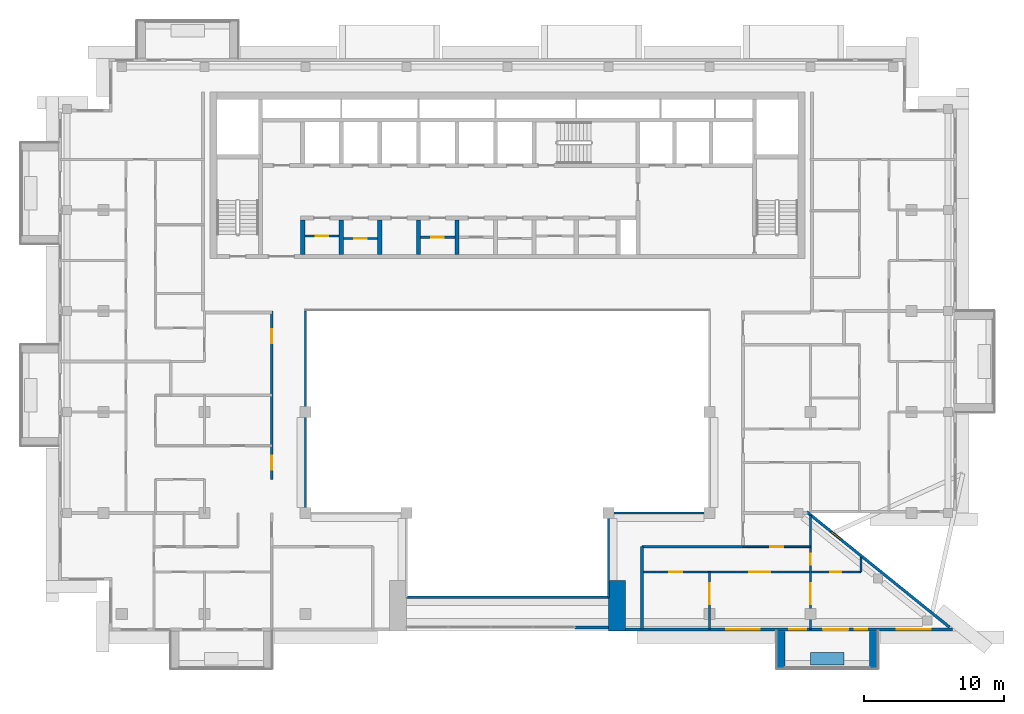
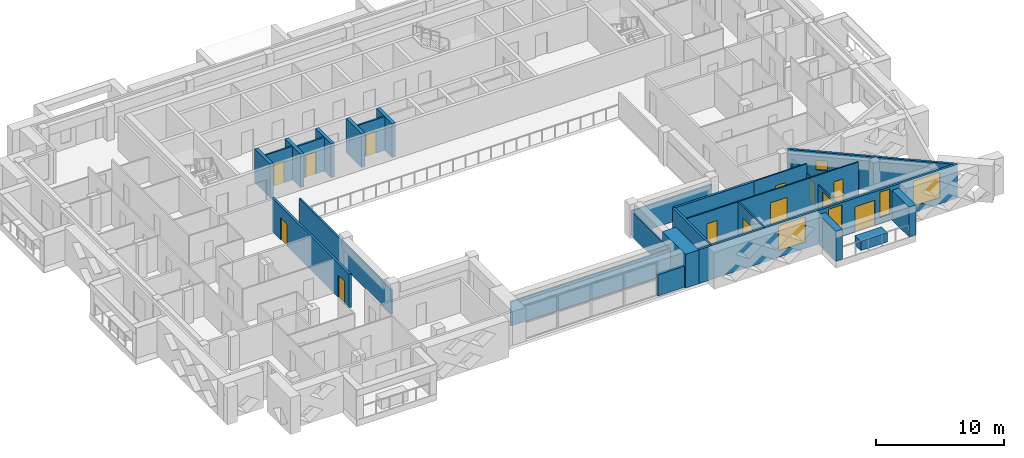
# One storey, part 8 of 19: 27 walls, 13 doors, 5 windows, 18 openings.
"""IFC4 building model written with IfcOpenShell, lengths in metres."""

from ifc_helpers import new_model, si_unit, direction, frame, frame_2d, origin, place, context, subcontext, project, spatial, rectangle, extrude, material, layer, layer_set, type_object, element, fill, save


model = new_model("IFC4")

# Units and contexts
model_context = context("Model", 3, precision=1e-05, world=origin(), true_north=direction((0.0, 1.0)))
body_context = subcontext(model_context, "Body", "Model", "MODEL_VIEW")
ifc_project = project(units=[si_unit("LENGTHUNIT", "METRE"), si_unit("AREAUNIT", "SQUARE_METRE"), si_unit("VOLUMEUNIT", "CUBIC_METRE"), si_unit("PLANEANGLEUNIT", "RADIAN"), si_unit("MASSUNIT", "GRAM", prefix="KILO")], contexts=[model_context])

# Site, building, storey
site_placement = place(None, origin())
site = spatial("IfcSite", under=ifc_project, at=site_placement, CompositionType="ELEMENT")
building_placement = place(site_placement, origin())
building = spatial("IfcBuilding", under=site, at=building_placement, Name="Saffron Iwan Residences", CompositionType="ELEMENT")
storey_placement = place(building_placement, frame((0.0, 0.0, 239.5)))
storey = spatial("IfcBuildingStorey", under=building, at=storey_placement, Name="L64", CompositionType="ELEMENT", Elevation=239.5)

# Walls
ifc_material_1 = material(Name="Fire-rated glazing", Category="glass")
ifc_layer_1 = layer(ifc_material_1, 0.14990234375)
ifc_layer_set_1 = layer_set([ifc_layer_1], Name="Fire-rated glazing")
wall_type_1 = type_object("IfcWallType", Name="Atrium glazed screen 150", PredefinedType="SOLIDWALL", material=ifc_layer_set_1)
wall_1_placement = place(storey_placement, frame((43.199951171875, 42.0, 0.0), z_axis=(0.0, 0.0, 1.0), x_axis=(1.0, 0.0, 0.0)))
element("IfcWall", 1, at=wall_1_placement, inside=storey, type_object=wall_type_1, Name="W-L64-SCREEN-h42-43.2", PredefinedType="SOLIDWALL", context=body_context, shape_type="SweptSolid", body=[
    extrude(rectangle(XDim=14.400146484375, YDim=0.14990234375, at=frame_2d((7.2001953125, 0.0))), origin(), (0.0, 0.0, 1.0), 2.320068359375),
])
wall_2_placement = place(storey_placement, frame((57.60009765625, 48.0, 0.0), z_axis=(0.0, 0.0, 1.0), x_axis=(1.0, 0.0, 0.0)))
element("IfcWall", 2, at=wall_2_placement, inside=storey, type_object=wall_type_1, Name="W-L64-SCREEN-h48-57.6", PredefinedType="SOLIDWALL", context=body_context, shape_type="SweptSolid", body=[
    extrude(rectangle(XDim=7.199951171875, YDim=0.14990234375, at=frame_2d((3.60009765625, 0.0))), origin(), (0.0, 0.0, 1.0), 2.320068359375),
])
wall_3_placement = place(storey_placement, frame((36.0, 48.0, 0.0), z_axis=(0.0, 0.0, 1.0), x_axis=(0.0, 1.0, 0.0)))
element("IfcWall", 3, at=wall_3_placement, inside=storey, type_object=wall_type_1, Name="W-L64-SCREEN-v36-48", PredefinedType="SOLIDWALL", context=body_context, shape_type="SweptSolid", body=[
    extrude(rectangle(XDim=14.39990234375, YDim=0.14990234375, at=frame_2d((7.199951171875, 0.0))), origin(), (0.0, 0.0, 1.0), 2.320068359375),
])
wall_4_placement = place(storey_placement, frame((57.60009765625, 42.0, 0.0), z_axis=(0.0, 0.0, 1.0), x_axis=(0.0, 1.0, 0.0)))
element("IfcWall", 4, at=wall_4_placement, inside=storey, type_object=wall_type_1, Name="W-L64-SCREEN-v57.6-42", PredefinedType="SOLIDWALL", context=body_context, shape_type="SweptSolid", body=[
    extrude(rectangle(XDim=6.0, YDim=0.14990234375, at=frame_2d((3.0, 0.0))), origin(), (0.0, 0.0, 1.0), 2.320068359375),
])
ifc_material_2 = material(Name="Concrete C50/60 white painted", Category="concrete")
ifc_layer_2 = layer(ifc_material_2, 0.60009765625)
ifc_layer_set_2 = layer_set([ifc_layer_2], Name="Concrete C50/60 white painted")
wall_type_2 = type_object("IfcWallType", Name="BALCONY FIN 600", PredefinedType="SOLIDWALL", material=ifc_layer_set_2)
for number, where, z_axis, x_axis, name in (
    (5, (69.89990234375, 39.550048828125, 0.0), (0.0, 0.0, 1.0), (0.0, -1.0, 0.0), "Balcony fin L64 11-1a"),
    (6, (76.5, 39.550048828125, 0.0), (0.0, 0.0, 1.0), (0.0, -1.0, 0.0), "Balcony fin L64 11-1b"),
):
    element("IfcWall", number, at=place(storey_placement, frame(where, z_axis=z_axis, x_axis=x_axis)), inside=storey, type_object=wall_type_2, Name=name, PredefinedType="SOLIDWALL", context=body_context, shape_type="SweptSolid", body=[
        extrude(rectangle(XDim=2.650146484375, YDim=0.60009765625, at=frame_2d((1.3251953125, 0.0))), origin(), (0.0, 0.0, 1.0), 2.85009765625),
    ])
ifc_material_3 = material(Name="Concrete C35/45 white painted", Category="concrete")
ifc_layer_3 = layer(ifc_material_3, 0.14990234375)
ifc_layer_set_3 = layer_set([ifc_layer_3], Name="Concrete C35/45 white painted")
wall_type_3 = type_object("IfcWallType", Name="BALCONY PLANTER", PredefinedType="SOLIDWALL", material=ifc_layer_set_3)
wall_5_placement = place(storey_placement, frame((72.0, 37.625, 0.0), z_axis=(0.0, 0.0, 1.0), x_axis=(1.0, 0.0, 0.0)))
element("IfcWall", 7, at=wall_5_placement, inside=storey, type_object=wall_type_3, Name="PLANTER L64 11-1", PredefinedType="SOLIDWALL", context=body_context, shape_type="SweptSolid", body=[
    extrude(rectangle(XDim=2.39990234375, YDim=0.89990234375, at=frame_2d((1.199951171875, 0.0))), origin(), (0.0, 0.0, 1.0), 0.89990234375),
])

# Wall, opening, door
ifc_material_4 = material(Name="Fire-rated plasterboard partition")
ifc_layer_4 = layer(ifc_material_4, 0.14990234375)
ifc_layer_set_4 = layer_set([ifc_layer_4], Name="Fire-rated plasterboard partition")
wall_type_4 = type_object("IfcWallType", Name="Core partition 150", PredefinedType="PARTITIONING", material=ifc_layer_set_4)
wall_6_placement = place(storey_placement, frame((35.949951171875, 67.759521484375, 0.0), z_axis=(0.0, 0.0, 1.0), x_axis=(1.0, 0.0, 0.0)))
wall_6 = element("IfcWall", 8, at=wall_6_placement, inside=storey, type_object=wall_type_4, Name="Core partition P01", PredefinedType="PARTITIONING", context=body_context, shape_type="SweptSolid", body=[
    extrude(rectangle(XDim=2.449951171875, YDim=0.14990234375, at=frame_2d((1.22509765625, 0.0))), origin(), (0.0, 0.0, 1.0), 3.219970703125),
])
opening_1_placement = place(wall_6_placement, frame((0.77490234375, 0.0, 0.0)))
opening_1 = element("IfcOpeningElement", 9, at=opening_1_placement, cuts=wall_6, Name="Opening SB", PredefinedType="OPENING", context=body_context, shape_type="SweptSolid", body=[
    extrude(rectangle(XDim=0.89990234375, YDim=2.10009765625, at=frame_2d((0.449951171875, 1.050048828125))), frame((0.0, 0.0849609375, 0.0), z_axis=(0.0, -1.0, 0.0), x_axis=(1.0, 0.0, 0.0)), (0.0, 0.0, 1.0), 0.169921875),
])
ifc_material_5 = material(Name="Steel fire door", Category="steel")
door_type_1 = type_object("IfcDoorType", Name="Store door 900", OperationType="NOTDEFINED", PredefinedType="DOOR", material=ifc_material_5)
door_1_placement = place(opening_1_placement, origin())
door_1 = element("IfcDoor", 10, at=door_1_placement, inside=storey, type_object=door_type_1, Name="Door Stationery store", OperationType="SINGLE_SWING_LEFT", OverallHeight=2.10009765625, OverallWidth=0.89990234375, PredefinedType="DOOR", context=body_context, shape_type="SweptSolid", body=[
    extrude(rectangle(XDim=0.89990234375, YDim=2.10009765625, at=frame_2d((0.449951171875, 1.050048828125))), frame((0.0, 0.02490234375, 0.0), z_axis=(0.0, -1.0, 0.0), x_axis=(1.0, 0.0, 0.0)), (0.0, 0.0, 1.0), 0.050048828125),
])
fill(opening_1, door_1)

wall_7_placement = place(storey_placement, frame((38.699951171875, 67.5654296875, 0.0), z_axis=(0.0, 0.0, 1.0), x_axis=(1.0, 0.0, 0.0)))
wall_7 = element("IfcWall", 11, at=wall_7_placement, inside=storey, type_object=wall_type_4, Name="Core partition P02", PredefinedType="PARTITIONING", context=body_context, shape_type="SweptSolid", body=[
    extrude(rectangle(XDim=2.449951171875, YDim=0.14990234375, at=frame_2d((1.22509765625, 0.0))), origin(), (0.0, 0.0, 1.0), 3.219970703125),
])
opening_2_placement = place(wall_7_placement, frame((0.77490234375, 0.0, 0.0)))
opening_2 = element("IfcOpeningElement", 12, at=opening_2_placement, cuts=wall_7, Name="Opening SB", PredefinedType="OPENING", context=body_context, shape_type="SweptSolid", body=[
    extrude(rectangle(XDim=0.89990234375, YDim=2.10009765625, at=frame_2d((0.449951171875, 1.050048828125))), frame((0.0, 0.0849609375, 0.0), z_axis=(0.0, -1.0, 0.0), x_axis=(1.0, 0.0, 0.0)), (0.0, 0.0, 1.0), 0.169921875),
])
door_2_placement = place(opening_2_placement, origin())
door_2 = element("IfcDoor", 13, at=door_2_placement, inside=storey, type_object=door_type_1, Name="Door Tool store", OperationType="SINGLE_SWING_LEFT", OverallHeight=2.10009765625, OverallWidth=0.89990234375, PredefinedType="DOOR", context=body_context, shape_type="SweptSolid", body=[
    extrude(rectangle(XDim=0.89990234375, YDim=2.10009765625, at=frame_2d((0.449951171875, 1.050048828125))), frame((0.0, 0.02490234375, 0.0), z_axis=(0.0, -1.0, 0.0), x_axis=(1.0, 0.0, 0.0)), (0.0, 0.0, 1.0), 0.050048828125),
])
fill(opening_2, door_2)

wall_8_placement = place(storey_placement, frame((44.199951171875, 67.66259765625, 0.0), z_axis=(0.0, 0.0, 1.0), x_axis=(1.0, 0.0, 0.0)))
wall_8 = element("IfcWall", 14, at=wall_8_placement, inside=storey, type_object=wall_type_4, Name="Core partition P03", PredefinedType="PARTITIONING", context=body_context, shape_type="SweptSolid", body=[
    extrude(rectangle(XDim=2.449951171875, YDim=0.14990234375, at=frame_2d((1.22509765625, 0.0))), origin(), (0.0, 0.0, 1.0), 3.219970703125),
])
opening_3_placement = place(wall_8_placement, frame((0.77490234375, 0.0, 0.0)))
opening_3 = element("IfcOpeningElement", 15, at=opening_3_placement, cuts=wall_8, Name="Opening SB", PredefinedType="OPENING", context=body_context, shape_type="SweptSolid", body=[
    extrude(rectangle(XDim=0.89990234375, YDim=2.10009765625, at=frame_2d((0.449951171875, 1.050048828125))), frame((0.0, 0.0849609375, 0.0), z_axis=(0.0, -1.0, 0.0), x_axis=(1.0, 0.0, 0.0)), (0.0, 0.0, 1.0), 0.169921875),
])
door_3_placement = place(opening_3_placement, origin())
door_3 = element("IfcDoor", 16, at=door_3_placement, inside=storey, type_object=door_type_1, Name="Door Equipment store", OperationType="SINGLE_SWING_LEFT", OverallHeight=2.10009765625, OverallWidth=0.89990234375, PredefinedType="DOOR", context=body_context, shape_type="SweptSolid", body=[
    extrude(rectangle(XDim=0.89990234375, YDim=2.10009765625, at=frame_2d((0.449951171875, 1.050048828125))), frame((0.0, 0.02490234375, 0.0), z_axis=(0.0, -1.0, 0.0), x_axis=(1.0, 0.0, 0.0)), (0.0, 0.0, 1.0), 0.050048828125),
])
fill(opening_3, door_3)

# Wall, opening, window
ifc_material_6 = material(Name="Concrete C40/50", Category="concrete")
ifc_layer_5 = layer(ifc_material_6, 0.199951171875)
ifc_layer_set_5 = layer_set([ifc_layer_5], Name="Concrete C40/50")
wall_type_5 = type_object("IfcWallType", Name="EXTERNAL WALL 200", PredefinedType="SOLIDWALL", material=ifc_layer_set_5)
wall_9_placement = place(storey_placement, frame((81.906982421875, 39.86962890625, 0.0), z_axis=(0.0, 0.0, 1.0), x_axis=(-0.777936274417, 0.62834318087, 0.0)))
wall_9 = element("IfcWall", 17, at=wall_9_placement, inside=storey, type_object=wall_type_5, Name="External wall L64 F0.0", PredefinedType="SOLIDWALL", context=body_context, shape_type="SweptSolid", body=[
    extrude(rectangle(XDim=13.0986328125, YDim=0.199951171875, at=frame_2d((6.54931640625, 0.0))), origin(), (0.0, 0.0, 1.0), 3.219970703125),
])
opening_4_placement = place(wall_9_placement, frame((9.9384765625, 0.0, 1.5)))
opening_4 = element("IfcOpeningElement", 18, at=opening_4_placement, cuts=wall_9, Name="Opening W6", PredefinedType="OPENING", context=body_context, shape_type="SweptSolid", body=[
    extrude(rectangle(XDim=0.89990234375, YDim=0.89990234375, at=frame_2d((0.449951171875, 0.449951171875))), frame((0.0, 0.10986328125, 0.0), z_axis=(0.0, -1.0, 0.0), x_axis=(1.0, 0.0, 0.0)), (0.0, 0.0, 1.0), 0.219970703125),
])
ifc_material_7 = material(Name="Clear glass, laminated double glazed", Category="glass")
window_type_1 = type_object("IfcWindowType", Name="WINDOW 900 x 900 BATH", PartitioningType="SINGLE_PANEL", PredefinedType="WINDOW", material=ifc_material_7)
window_1_placement = place(opening_4_placement, origin())
window_1 = element("IfcWindow", 19, at=window_1_placement, inside=storey, type_object=window_type_1, Name="Window L64 F0.0", OverallHeight=0.89990234375, OverallWidth=0.89990234375, PartitioningType="SINGLE_PANEL", PredefinedType="WINDOW", context=body_context, shape_type="SweptSolid", body=[
    extrude(rectangle(XDim=0.89990234375, YDim=0.89990234375, at=frame_2d((0.449951171875, 0.449951171875))), frame((0.0, 0.030029296875, 0.0), z_axis=(0.0, -1.0, 0.0), x_axis=(1.0, 0.0, 0.0)), (0.0, 0.0, 1.0), 0.06005859375),
])
fill(opening_4, window_1)

# Wall, openings, door, windows
wall_10_placement = place(storey_placement, frame((58.800048828125, 39.699951171875, 0.0), z_axis=(0.0, 0.0, 1.0), x_axis=(1.0, 0.0, 0.0)))
wall_10 = element("IfcWall", 20, at=wall_10_placement, inside=storey, type_object=wall_type_5, Name="External wall L64 F11.1", PredefinedType="SOLIDWALL", context=body_context, shape_type="SweptSolid", body=[
    extrude(rectangle(XDim=23.31689453125, YDim=0.199951171875, at=frame_2d((11.658447265625, 0.0))), origin(), (0.0, 0.0, 1.0), 3.219970703125),
])
opening_5_placement = place(wall_10_placement, frame((14.10009765625, 0.0, 0.0)))
opening_5 = element("IfcOpeningElement", 21, at=opening_5_placement, cuts=wall_10, Name="Opening BD1", PredefinedType="OPENING", context=body_context, shape_type="SweptSolid", body=[
    extrude(rectangle(XDim=1.800048828125, YDim=2.39990234375, at=frame_2d((0.89990234375, 1.199951171875))), frame((0.0, 0.10986328125, 0.0), z_axis=(0.0, -1.0, 0.0), x_axis=(1.0, 0.0, 0.0)), (0.0, 0.0, 1.0), 0.219970703125),
])
opening_6_placement = place(wall_10_placement, frame((7.199951171875, 0.0, 0.60009765625)))
opening_6 = element("IfcOpeningElement", 22, at=opening_6_placement, cuts=wall_10, Name="Opening W1", PredefinedType="OPENING", context=body_context, shape_type="SweptSolid", body=[
    extrude(rectangle(XDim=2.39990234375, YDim=2.39990234375, at=frame_2d((1.199951171875, 1.199951171875))), frame((0.0, 0.10986328125, 0.0), z_axis=(0.0, -1.0, 0.0), x_axis=(1.0, 0.0, 0.0)), (0.0, 0.0, 1.0), 0.219970703125),
])
opening_7_placement = place(wall_10_placement, frame((11.699951171875, 0.0, 0.60009765625)))
opening_7 = element("IfcOpeningElement", 23, at=opening_7_placement, cuts=wall_10, Name="Opening W3", PredefinedType="OPENING", context=body_context, shape_type="SweptSolid", body=[
    extrude(rectangle(XDim=1.199951171875, YDim=2.39990234375, at=frame_2d((0.60009765625, 1.199951171875))), frame((0.0, 0.10986328125, 0.0), z_axis=(0.0, -1.0, 0.0), x_axis=(1.0, 0.0, 0.0)), (0.0, 0.0, 1.0), 0.219970703125),
])
opening_8_placement = place(wall_10_placement, frame((16.35009765625, 0.0, 0.60009765625)))
opening_8 = element("IfcOpeningElement", 24, at=opening_8_placement, cuts=wall_10, Name="Opening W10", PredefinedType="OPENING", context=body_context, shape_type="SweptSolid", body=[
    extrude(rectangle(XDim=0.89990234375, YDim=2.39990234375, at=frame_2d((0.449951171875, 1.199951171875))), frame((0.0, 0.10986328125, 0.0), z_axis=(0.0, -1.0, 0.0), x_axis=(1.0, 0.0, 0.0)), (0.0, 0.0, 1.0), 0.219970703125),
])
opening_9_placement = place(wall_10_placement, frame((19.3583984375, 0.0, 0.60009765625)))
opening_9 = element("IfcOpeningElement", 25, at=opening_9_placement, cuts=wall_10, Name="Opening W1", PredefinedType="OPENING", context=body_context, shape_type="SweptSolid", body=[
    extrude(rectangle(XDim=2.39990234375, YDim=2.39990234375, at=frame_2d((1.199951171875, 1.199951171875))), frame((0.0, 0.10986328125, 0.0), z_axis=(0.0, -1.0, 0.0), x_axis=(1.0, 0.0, 0.0)), (0.0, 0.0, 1.0), 0.219970703125),
])
door_type_2 = type_object("IfcDoorType", Name="BALCONY DOOR 1800 x 2400", OperationType="DOUBLE_DOOR_SLIDING", PredefinedType="DOOR", material=ifc_material_7)
door_4_placement = place(opening_5_placement, origin())
door_4 = element("IfcDoor", 26, at=door_4_placement, inside=storey, type_object=door_type_2, Name="Balcony door L64 F11.0", OperationType="DOUBLE_DOOR_SLIDING", OverallHeight=2.39990234375, OverallWidth=1.800048828125, PredefinedType="DOOR", context=body_context, shape_type="SweptSolid", body=[
    extrude(rectangle(XDim=1.800048828125, YDim=2.39990234375, at=frame_2d((0.89990234375, 1.199951171875))), frame((0.0, 0.02490234375, 0.0), z_axis=(0.0, -1.0, 0.0), x_axis=(1.0, 0.0, 0.0)), (0.0, 0.0, 1.0), 0.050048828125),
])
fill(opening_5, door_4)
window_type_2 = type_object("IfcWindowType", Name="WINDOW 1200 x 2400", PartitioningType="SINGLE_PANEL", PredefinedType="WINDOW", material=ifc_material_7)
window_2_placement = place(opening_7_placement, origin())
window_2 = element("IfcWindow", 27, at=window_2_placement, inside=storey, type_object=window_type_2, Name="Window L64 F11.2", OverallHeight=2.39990234375, OverallWidth=1.199951171875, PartitioningType="SINGLE_PANEL", PredefinedType="WINDOW", context=body_context, shape_type="SweptSolid", body=[
    extrude(rectangle(XDim=1.199951171875, YDim=2.39990234375, at=frame_2d((0.60009765625, 1.199951171875))), frame((0.0, 0.030029296875, 0.0), z_axis=(0.0, -1.0, 0.0), x_axis=(1.0, 0.0, 0.0)), (0.0, 0.0, 1.0), 0.06005859375),
])
fill(opening_7, window_2)
window_type_3 = type_object("IfcWindowType", Name="WINDOW 2400 x 2400", PartitioningType="DOUBLE_PANEL_VERTICAL", PredefinedType="WINDOW", material=ifc_material_7)
window_3_placement = place(opening_6_placement, origin())
window_3 = element("IfcWindow", 28, at=window_3_placement, inside=storey, type_object=window_type_3, Name="Window L64 F11.1", OverallHeight=2.39990234375, OverallWidth=2.39990234375, PartitioningType="DOUBLE_PANEL_VERTICAL", PredefinedType="WINDOW", context=body_context, shape_type="SweptSolid", body=[
    extrude(rectangle(XDim=2.39990234375, YDim=2.39990234375, at=frame_2d((1.199951171875, 1.199951171875))), frame((0.0, 0.030029296875, 0.0), z_axis=(0.0, -1.0, 0.0), x_axis=(1.0, 0.0, 0.0)), (0.0, 0.0, 1.0), 0.06005859375),
])
fill(opening_6, window_3)
window_4_placement = place(opening_9_placement, origin())
window_4 = element("IfcWindow", 29, at=window_4_placement, inside=storey, type_object=window_type_3, Name="Window L64 F11.4", OverallHeight=2.39990234375, OverallWidth=2.39990234375, PartitioningType="DOUBLE_PANEL_VERTICAL", PredefinedType="WINDOW", context=body_context, shape_type="SweptSolid", body=[
    extrude(rectangle(XDim=2.39990234375, YDim=2.39990234375, at=frame_2d((1.199951171875, 1.199951171875))), frame((0.0, 0.030029296875, 0.0), z_axis=(0.0, -1.0, 0.0), x_axis=(1.0, 0.0, 0.0)), (0.0, 0.0, 1.0), 0.06005859375),
])
fill(opening_9, window_4)
window_type_4 = type_object("IfcWindowType", Name="WINDOW 900 x 2400", PartitioningType="SINGLE_PANEL", PredefinedType="WINDOW", material=ifc_material_7)
window_5_placement = place(opening_8_placement, origin())
window_5 = element("IfcWindow", 30, at=window_5_placement, inside=storey, type_object=window_type_4, Name="Window L64 F11.3", OverallHeight=2.39990234375, OverallWidth=0.89990234375, PartitioningType="SINGLE_PANEL", PredefinedType="WINDOW", context=body_context, shape_type="SweptSolid", body=[
    extrude(rectangle(XDim=0.89990234375, YDim=2.39990234375, at=frame_2d((0.449951171875, 1.199951171875))), frame((0.0, 0.030029296875, 0.0), z_axis=(0.0, -1.0, 0.0), x_axis=(1.0, 0.0, 0.0)), (0.0, 0.0, 1.0), 0.06005859375),
])
fill(opening_8, window_5)

# Wall
wall_11_placement = place(storey_placement, frame((55.199951171875, 39.85009765625, 0.0), z_axis=(0.0, 0.0, 1.0), x_axis=(1.0, 0.0, 0.0)))
element("IfcWall", 31, at=wall_11_placement, inside=storey, type_object=wall_type_5, Name="External wall infill CWB-L64-0", PredefinedType="SOLIDWALL", context=body_context, shape_type="SweptSolid", body=[
    extrude(rectangle(XDim=2.400146484375, YDim=0.199951171875, at=frame_2d((1.2001953125, 0.0))), origin(), (0.0, 0.0, 1.0), 2.02001953125),
])

# Wall, openings, doors
ifc_material_8 = material(Name="Gypsum board partition")
ifc_layer_6 = layer(ifc_material_8, 0.1201171875)
ifc_layer_set_6 = layer_set([ifc_layer_6], Name="Gypsum board partition")
wall_type_6 = type_object("IfcWallType", Name="Flat partition 120", PredefinedType="PARTITIONING", material=ifc_layer_set_6)
wall_12_placement = place(storey_placement, frame((60.0, 43.800048828125, 0.0), z_axis=(0.0, 0.0, 1.0), x_axis=(1.0, 0.0, 0.0)))
wall_12 = element("IfcWall", 32, at=wall_12_placement, inside=storey, type_object=wall_type_6, Name="W-L64-PART-h43.8-60", PredefinedType="PARTITIONING", context=body_context, shape_type="SweptSolid", body=[
    extrude(rectangle(XDim=15.60009765625, YDim=0.1201171875, at=frame_2d((7.800048828125, 0.0))), origin(), (0.0, 0.0, 1.0), 3.219970703125),
])
opening_10_placement = place(wall_12_placement, frame((7.64990234375, 0.0, 0.0)))
opening_10 = element("IfcOpeningElement", 33, at=opening_10_placement, cuts=wall_12, Name="Opening FD4", PredefinedType="OPENING", context=body_context, shape_type="SweptSolid", body=[
    extrude(rectangle(XDim=1.5, YDim=2.10009765625, at=frame_2d((0.75, 1.050048828125))), frame((0.0, 0.070068359375, 0.0), z_axis=(0.0, -1.0, 0.0), x_axis=(1.0, 0.0, 0.0)), (0.0, 0.0, 1.0), 0.14013671875),
])
opening_11_placement = place(wall_12_placement, frame((1.949951171875, 0.0, 0.0)))
opening_11 = element("IfcOpeningElement", 34, at=opening_11_placement, cuts=wall_12, Name="Opening FD2", PredefinedType="OPENING", context=body_context, shape_type="SweptSolid", body=[
    extrude(rectangle(XDim=0.89990234375, YDim=2.10009765625, at=frame_2d((0.449951171875, 1.050048828125))), frame((0.0, 0.070068359375, 0.0), z_axis=(0.0, -1.0, 0.0), x_axis=(1.0, 0.0, 0.0)), (0.0, 0.0, 1.0), 0.14013671875),
])
opening_12_placement = place(wall_12_placement, frame((13.39990234375, 0.0, 0.0)))
opening_12 = element("IfcOpeningElement", 35, at=opening_12_placement, cuts=wall_12, Name="Opening FD3", PredefinedType="OPENING", context=body_context, shape_type="SweptSolid", body=[
    extrude(rectangle(XDim=0.800048828125, YDim=2.10009765625, at=frame_2d((0.39990234375, 1.050048828125))), frame((0.0, 0.070068359375, 0.0), z_axis=(0.0, -1.0, 0.0), x_axis=(1.0, 0.0, 0.0)), (0.0, 0.0, 1.0), 0.14013671875),
])
ifc_material_9 = material(Name="Timber door", Category="wood")
door_type_3 = type_object("IfcDoorType", Name="Bathroom door 800", OperationType="NOTDEFINED", PredefinedType="DOOR", material=ifc_material_9)
door_5_placement = place(opening_12_placement, origin())
door_5 = element("IfcDoor", 36, at=door_5_placement, inside=storey, type_object=door_type_3, Name="Door L64-048", OperationType="SINGLE_SWING_RIGHT", OverallHeight=2.10009765625, OverallWidth=0.800048828125, PredefinedType="DOOR", context=body_context, shape_type="SweptSolid", body=[
    extrude(rectangle(XDim=0.800048828125, YDim=2.10009765625, at=frame_2d((0.39990234375, 1.050048828125))), frame((0.0, 0.02490234375, 0.0), z_axis=(0.0, -1.0, 0.0), x_axis=(1.0, 0.0, 0.0)), (0.0, 0.0, 1.0), 0.050048828125),
])
fill(opening_12, door_5)
door_type_4 = type_object("IfcDoorType", Name="Double door 1500", OperationType="NOTDEFINED", PredefinedType="DOOR", material=ifc_material_9)
door_6_placement = place(opening_10_placement, origin())
door_6 = element("IfcDoor", 37, at=door_6_placement, inside=storey, type_object=door_type_4, Name="Door L64-044", OperationType="SINGLE_SWING_LEFT", OverallHeight=2.10009765625, OverallWidth=1.5, PredefinedType="DOOR", context=body_context, shape_type="SweptSolid", body=[
    extrude(rectangle(XDim=1.5, YDim=2.10009765625, at=frame_2d((0.75, 1.050048828125))), frame((0.0, 0.02490234375, 0.0), z_axis=(0.0, -1.0, 0.0), x_axis=(1.0, 0.0, 0.0)), (0.0, 0.0, 1.0), 0.050048828125),
])
fill(opening_10, door_6)
door_type_5 = type_object("IfcDoorType", Name="Flat door 900", OperationType="NOTDEFINED", PredefinedType="DOOR", material=ifc_material_9)
door_7_placement = place(opening_11_placement, origin())
door_7 = element("IfcDoor", 38, at=door_7_placement, inside=storey, type_object=door_type_5, Name="Door L64-045", OperationType="SINGLE_SWING_RIGHT", OverallHeight=2.10009765625, OverallWidth=0.89990234375, PredefinedType="DOOR", context=body_context, shape_type="SweptSolid", body=[
    extrude(rectangle(XDim=0.89990234375, YDim=2.10009765625, at=frame_2d((0.449951171875, 1.050048828125))), frame((0.0, 0.02490234375, 0.0), z_axis=(0.0, -1.0, 0.0), x_axis=(1.0, 0.0, 0.0)), (0.0, 0.0, 1.0), 0.050048828125),
])
fill(opening_11, door_7)

# Wall, opening, door
wall_13_placement = place(storey_placement, frame((67.199951171875, 45.60009765625, 0.0), z_axis=(0.0, 0.0, 1.0), x_axis=(1.0, 0.0, 0.0)))
wall_13 = element("IfcWall", 39, at=wall_13_placement, inside=storey, type_object=wall_type_6, Name="W-L64-PART-h45.6-67.2", PredefinedType="PARTITIONING", context=body_context, shape_type="SweptSolid", body=[
    extrude(rectangle(XDim=4.800048828125, YDim=0.1201171875, at=frame_2d((2.39990234375, 0.0))), origin(), (0.0, 0.0, 1.0), 3.219970703125),
])
opening_13_placement = place(wall_13_placement, frame((1.949951171875, 0.0, 0.0)))
opening_13 = element("IfcOpeningElement", 40, at=opening_13_placement, cuts=wall_13, Name="Opening FD2", PredefinedType="OPENING", context=body_context, shape_type="SweptSolid", body=[
    extrude(rectangle(XDim=0.89990234375, YDim=2.10009765625, at=frame_2d((0.449951171875, 1.050048828125))), frame((0.0, 0.070068359375, 0.0), z_axis=(0.0, -1.0, 0.0), x_axis=(1.0, 0.0, 0.0)), (0.0, 0.0, 1.0), 0.14013671875),
])
door_8_placement = place(opening_13_placement, origin())
door_8 = element("IfcDoor", 41, at=door_8_placement, inside=storey, type_object=door_type_5, Name="Door L64-042", OperationType="SINGLE_SWING_RIGHT", OverallHeight=2.10009765625, OverallWidth=0.89990234375, PredefinedType="DOOR", context=body_context, shape_type="SweptSolid", body=[
    extrude(rectangle(XDim=0.89990234375, YDim=2.10009765625, at=frame_2d((0.449951171875, 1.050048828125))), frame((0.0, 0.02490234375, 0.0), z_axis=(0.0, -1.0, 0.0), x_axis=(1.0, 0.0, 0.0)), (0.0, 0.0, 1.0), 0.050048828125),
])
fill(opening_13, door_8)

wall_14_placement = place(storey_placement, frame((64.800048828125, 39.72509765625, 0.0), z_axis=(0.0, 0.0, 1.0), x_axis=(0.0, 1.0, 0.0)))
wall_14 = element("IfcWall", 42, at=wall_14_placement, inside=storey, type_object=wall_type_6, Name="W-L64-PART-v64.8-39.725", PredefinedType="PARTITIONING", context=body_context, shape_type="SweptSolid", body=[
    extrude(rectangle(XDim=4.074951171875, YDim=0.1201171875, at=frame_2d((2.03759765625, 0.0))), origin(), (0.0, 0.0, 1.0), 3.219970703125),
])
opening_14_placement = place(wall_14_placement, frame((1.78759765625, 0.0, 0.0)))
opening_14 = element("IfcOpeningElement", 43, at=opening_14_placement, cuts=wall_14, Name="Opening FD4", PredefinedType="OPENING", context=body_context, shape_type="SweptSolid", body=[
    extrude(rectangle(XDim=1.5, YDim=2.10009765625, at=frame_2d((0.75, 1.050048828125))), frame((0.0, 0.070068359375, 0.0), z_axis=(0.0, -1.0, 0.0), x_axis=(1.0, 0.0, 0.0)), (0.0, 0.0, 1.0), 0.14013671875),
])
door_9_placement = place(opening_14_placement, origin())
door_9 = element("IfcDoor", 44, at=door_9_placement, inside=storey, type_object=door_type_4, Name="Door L64-041", OperationType="SINGLE_SWING_RIGHT", OverallHeight=2.10009765625, OverallWidth=1.5, PredefinedType="DOOR", context=body_context, shape_type="SweptSolid", body=[
    extrude(rectangle(XDim=1.5, YDim=2.10009765625, at=frame_2d((0.75, 1.050048828125))), frame((0.0, 0.02490234375, 0.0), z_axis=(0.0, -1.0, 0.0), x_axis=(1.0, 0.0, 0.0)), (0.0, 0.0, 1.0), 0.050048828125),
])
fill(opening_14, door_9)

# Wall, openings, doors
wall_15_placement = place(storey_placement, frame((72.0, 39.72509765625, 0.0), z_axis=(0.0, 0.0, 1.0), x_axis=(0.0, 1.0, 0.0)))
wall_15 = element("IfcWall", 45, at=wall_15_placement, inside=storey, type_object=wall_type_6, Name="W-L64-PART-v72-39.725", PredefinedType="PARTITIONING", context=body_context, shape_type="SweptSolid", body=[
    extrude(rectangle(XDim=8.114013671875, YDim=0.1201171875, at=frame_2d((4.05712890625, 0.0))), origin(), (0.0, 0.0, 1.0), 2.320068359375),
])
opening_15_placement = place(wall_15_placement, frame((1.78759765625, 0.0, 0.0)))
opening_15 = element("IfcOpeningElement", 46, at=opening_15_placement, cuts=wall_15, Name="Opening FD4", PredefinedType="OPENING", context=body_context, shape_type="SweptSolid", body=[
    extrude(rectangle(XDim=1.5, YDim=2.10009765625, at=frame_2d((0.75, 1.050048828125))), frame((0.0, 0.070068359375, 0.0), z_axis=(0.0, -1.0, 0.0), x_axis=(1.0, 0.0, 0.0)), (0.0, 0.0, 1.0), 0.14013671875),
])
opening_16_placement = place(wall_15_placement, frame((4.574951171875, 0.0, 0.0)))
opening_16 = element("IfcOpeningElement", 47, at=opening_16_placement, cuts=wall_15, Name="Opening FD3", PredefinedType="OPENING", context=body_context, shape_type="SweptSolid", body=[
    extrude(rectangle(XDim=0.800048828125, YDim=2.10009765625, at=frame_2d((0.39990234375, 1.050048828125))), frame((0.0, 0.070068359375, 0.0), z_axis=(0.0, -1.0, 0.0), x_axis=(1.0, 0.0, 0.0)), (0.0, 0.0, 1.0), 0.14013671875),
])
door_10_placement = place(opening_16_placement, origin())
door_10 = element("IfcDoor", 48, at=door_10_placement, inside=storey, type_object=door_type_3, Name="Door L64-047", OperationType="SINGLE_SWING_LEFT", OverallHeight=2.10009765625, OverallWidth=0.800048828125, PredefinedType="DOOR", context=body_context, shape_type="SweptSolid", body=[
    extrude(rectangle(XDim=0.800048828125, YDim=2.10009765625, at=frame_2d((0.39990234375, 1.050048828125))), frame((0.0, 0.02490234375, 0.0), z_axis=(0.0, -1.0, 0.0), x_axis=(1.0, 0.0, 0.0)), (0.0, 0.0, 1.0), 0.050048828125),
])
fill(opening_16, door_10)
door_11_placement = place(opening_15_placement, origin())
door_11 = element("IfcDoor", 49, at=door_11_placement, inside=storey, type_object=door_type_4, Name="Door L64-046", OperationType="SINGLE_SWING_RIGHT", OverallHeight=2.10009765625, OverallWidth=1.5, PredefinedType="DOOR", context=body_context, shape_type="SweptSolid", body=[
    extrude(rectangle(XDim=1.5, YDim=2.10009765625, at=frame_2d((0.75, 1.050048828125))), frame((0.0, 0.02490234375, 0.0), z_axis=(0.0, -1.0, 0.0), x_axis=(1.0, 0.0, 0.0)), (0.0, 0.0, 1.0), 0.050048828125),
])
fill(opening_15, door_11)

# Walls
wall_16_placement = place(storey_placement, frame((75.60009765625, 43.800048828125, 0.0), z_axis=(0.0, 0.0, 1.0), x_axis=(0.0, 1.0, 0.0)))
element("IfcWall", 50, at=wall_16_placement, inside=storey, type_object=wall_type_6, Name="W-L64-PART-v75.6-43.8", PredefinedType="PARTITIONING", context=body_context, shape_type="SweptSolid", body=[
    extrude(rectangle(XDim=1.03515625, YDim=0.1201171875, at=frame_2d((0.517578125, 0.0))), origin(), (0.0, 0.0, 1.0), 2.320068359375),
])
ifc_material_10 = material(Name="Fire-rated gypsum board wall")
ifc_layer_7 = layer(ifc_material_10, 0.199951171875)
ifc_layer_set_7 = layer_set([ifc_layer_7], Name="Fire-rated gypsum board wall")
wall_type_7 = type_object("IfcWallType", Name="Gallery wall 200", PredefinedType="SOLIDWALL", material=ifc_layer_set_7)
wall_17_placement = place(storey_placement, frame((60.0, 45.60009765625, 0.0), z_axis=(0.0, 0.0, 1.0), x_axis=(1.0, 0.0, 0.0)))
element("IfcWall", 51, at=wall_17_placement, inside=storey, type_object=wall_type_7, Name="W-L64-CORR-h45.6-60", PredefinedType="SOLIDWALL", context=body_context, shape_type="SweptSolid", body=[
    extrude(rectangle(XDim=7.199951171875, YDim=0.199951171875, at=frame_2d((3.60009765625, 0.0))), origin(), (0.0, 0.0, 1.0), 3.219970703125),
])

# Wall, openings, doors
wall_18_placement = place(storey_placement, frame((33.60009765625, 50.39990234375, 0.0), z_axis=(0.0, 0.0, 1.0), x_axis=(0.0, 1.0, 0.0)))
wall_18 = element("IfcWall", 52, at=wall_18_placement, inside=storey, type_object=wall_type_7, Name="W-L64-CORR-v33.6-50.4", PredefinedType="SOLIDWALL", context=body_context, shape_type="SweptSolid", body=[
    extrude(rectangle(XDim=12.0, YDim=0.199951171875, at=frame_2d((6.0, 0.0))), origin(), (0.0, 0.0, 1.0), 3.219970703125),
])
opening_17_placement = place(wall_18_placement, frame((0.699951171875, 0.0, 0.0)))
opening_17 = element("IfcOpeningElement", 53, at=opening_17_placement, cuts=wall_18, Name="Opening FD1", PredefinedType="OPENING", context=body_context, shape_type="SweptSolid", body=[
    extrude(rectangle(XDim=1.0, YDim=2.10009765625, at=frame_2d((0.5, 1.050048828125))), frame((0.0, 0.10986328125, 0.0), z_axis=(0.0, -1.0, 0.0), x_axis=(1.0, 0.0, 0.0)), (0.0, 0.0, 1.0), 0.219970703125),
])
opening_18_placement = place(wall_18_placement, frame((9.699951171875, 0.0, 0.0)))
opening_18 = element("IfcOpeningElement", 54, at=opening_18_placement, cuts=wall_18, Name="Opening FD5", PredefinedType="OPENING", context=body_context, shape_type="SweptSolid", body=[
    extrude(rectangle(XDim=1.0, YDim=2.10009765625, at=frame_2d((0.5, 1.050048828125))), frame((0.0, 0.10986328125, 0.0), z_axis=(0.0, -1.0, 0.0), x_axis=(1.0, 0.0, 0.0)), (0.0, 0.0, 1.0), 0.219970703125),
])
ifc_material_11 = material(Name="Fire-rated timber door", Category="wood")
door_type_6 = type_object("IfcDoorType", Name="FD30S flat entrance door 1000", OperationType="NOTDEFINED", PredefinedType="DOOR", material=ifc_material_11)
door_12_placement = place(opening_17_placement, origin())
door_12 = element("IfcDoor", 55, at=door_12_placement, inside=storey, type_object=door_type_6, Name="Door L64-008", OperationType="SINGLE_SWING_LEFT", OverallHeight=2.10009765625, OverallWidth=1.0, PredefinedType="DOOR", context=body_context, shape_type="SweptSolid", body=[
    extrude(rectangle(XDim=1.0, YDim=2.10009765625, at=frame_2d((0.5, 1.050048828125))), frame((0.0, 0.02490234375, 0.0), z_axis=(0.0, -1.0, 0.0), x_axis=(1.0, 0.0, 0.0)), (0.0, 0.0, 1.0), 0.050048828125),
])
fill(opening_17, door_12)
door_type_7 = type_object("IfcDoorType", Name="Lobby door 1000", OperationType="NOTDEFINED", PredefinedType="DOOR", material=ifc_material_11)
door_13_placement = place(opening_18_placement, origin())
door_13 = element("IfcDoor", 56, at=door_13_placement, inside=storey, type_object=door_type_7, Name="Door L64-024", OperationType="SINGLE_SWING_RIGHT", OverallHeight=2.10009765625, OverallWidth=1.0, PredefinedType="DOOR", context=body_context, shape_type="SweptSolid", body=[
    extrude(rectangle(XDim=1.0, YDim=2.10009765625, at=frame_2d((0.5, 1.050048828125))), frame((0.0, 0.02490234375, 0.0), z_axis=(0.0, -1.0, 0.0), x_axis=(1.0, 0.0, 0.0)), (0.0, 0.0, 1.0), 0.050048828125),
])
fill(opening_18, door_13)

# Walls
wall_19_placement = place(storey_placement, frame((60.0, 39.72509765625, 0.0), z_axis=(0.0, 0.0, 1.0), x_axis=(0.0, 1.0, 0.0)))
element("IfcWall", 57, at=wall_19_placement, inside=storey, type_object=wall_type_7, Name="W-L64-CORR-v60-39.725", PredefinedType="SOLIDWALL", context=body_context, shape_type="SweptSolid", body=[
    extrude(rectangle(XDim=5.875, YDim=0.199951171875, at=frame_2d((2.9375, 0.0))), origin(), (0.0, 0.0, 1.0), 3.219970703125),
])
ifc_layer_8 = layer(ifc_material_6, 0.300048828125)
ifc_layer_set_8 = layer_set([ifc_layer_8], Name="Concrete C40/50")
wall_type_8 = type_object("IfcWallType", Name="WALL CORE 300 C40/50 3220 HIGH", PredefinedType="SHEAR", material=ifc_layer_set_8)
for number, where, z_axis, x_axis, name in (
    (58, (35.800048828125, 66.449951171875, 0.0), (0.0, 0.0, 1.0), (0.0, 1.0, 0.0), "Core wall"),
    (59, (38.550048828125, 66.449951171875, 0.0), (0.0, 0.0, 1.0), (0.0, 1.0, 0.0), "Core wall"),
    (60, (41.300048828125, 66.449951171875, 0.0), (0.0, 0.0, 1.0), (0.0, 1.0, 0.0), "Core wall"),
    (61, (44.050048828125, 66.449951171875, 0.0), (0.0, 0.0, 1.0), (0.0, 1.0, 0.0), "Core wall"),
    (62, (46.800048828125, 66.449951171875, 0.0), (0.0, 0.0, 1.0), (0.0, 1.0, 0.0), "Core wall"),
):
    element("IfcWall", number, at=place(storey_placement, frame(where, z_axis=z_axis, x_axis=x_axis)), inside=storey, type_object=wall_type_8, Name=name, PredefinedType="SHEAR", context=body_context, shape_type="SweptSolid", body=[
        extrude(rectangle(XDim=2.425048828125, YDim=0.300048828125, at=frame_2d((1.21240234375, 0.0))), origin(), (0.0, 0.0, 1.0), 3.219970703125),
    ])
ifc_layer_9 = layer(ifc_material_6, 1.199951171875)
ifc_layer_set_9 = layer_set([ifc_layer_9], Name="Concrete C40/50")
wall_type_9 = type_object("IfcWallType", Name="WALL IWAN PIER 1200 C40/50 3220 HIGH", PredefinedType="SHEAR", material=ifc_layer_set_9)
wall_20_placement = place(storey_placement, frame((58.199951171875, 39.60009765625, 0.0), z_axis=(0.0, 0.0, 1.0), x_axis=(0.0, 1.0, 0.0)))
element("IfcWall", 63, at=wall_20_placement, inside=storey, type_object=wall_type_9, Name="IWAN PIER", PredefinedType="SHEAR", context=body_context, shape_type="SweptSolid", body=[
    extrude(rectangle(XDim=3.599853515625, YDim=1.199951171875, at=frame_2d((1.7998046875, 0.0))), origin(), (0.0, 0.0, 1.0), 3.219970703125),
])

save(model, "model.ifc")
